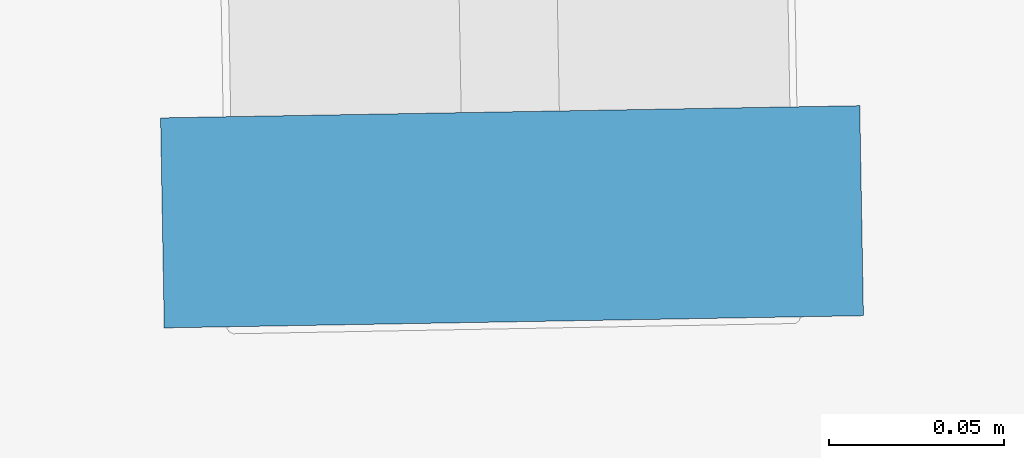
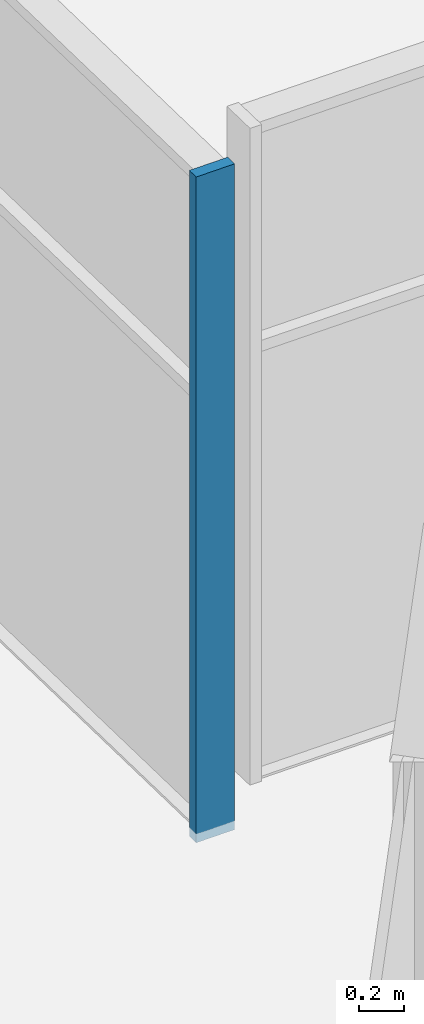
# One storey, part 2 of 13: 1 member, 1 element without a shape of its own.
"""IFC4 building model written with IfcOpenShell, lengths in metres."""

from ifc_helpers import new_model, si_unit, direction, frame, origin, origin_2d, place, context, subcontext, project, spatial, rectangle, extrude, material, material_profile, profile_set, type_object, element, aggregate, save


model = new_model("IFC4")

# Units and contexts
model_context = context("Model", 3, precision=1e-05, world=origin(), true_north=direction((0.0, 1.0)))
body_context = subcontext(model_context, "Body", "Model", "MODEL_VIEW")
ifc_project = project(units=[si_unit("LENGTHUNIT", "METRE"), si_unit("AREAUNIT", "SQUARE_METRE"), si_unit("VOLUMEUNIT", "CUBIC_METRE"), si_unit("PLANEANGLEUNIT", "RADIAN"), si_unit("MASSUNIT", "GRAM", prefix="KILO")], contexts=[model_context])

# Site, building, storey
site_placement = place(None, origin())
site = spatial("IfcSite", under=ifc_project, at=site_placement, CompositionType="ELEMENT")
building_placement = place(site_placement, origin())
building = spatial("IfcBuilding", under=site, at=building_placement, Name="Dilmun Exchange Tower", CompositionType="ELEMENT")
storey_placement = place(building_placement, frame((0.0, 0.0, 213.300048828125)))
storey = spatial("IfcBuildingStorey", under=building, at=storey_placement, Name="L50", CompositionType="ELEMENT", Elevation=213.300048828125)

# Curtain wall, member
ifc_material_1 = material(Name="Anodised aluminium and clear glass", Category="aluminium")
curtain_wall_type = type_object("IfcCurtainWallType", Name="Garden corner glazing", PredefinedType="NOTDEFINED", material=ifc_material_1)
curtain_wall_placement = place(storey_placement, origin())
curtain_wall = element("IfcCurtainWall", 1, at=curtain_wall_placement, inside=storey, type_object=curtain_wall_type, Name="Garden corner glazing run GC3.1", PredefinedType="NOTDEFINED")
ifc_material_2 = material(Name="Anodised aluminium", Category="aluminium")
ifc_material_profile = material_profile(ifc_material_2, rectangle(XDim=0.199951171875, YDim=0.06005859375, at=origin_2d()), Name="AL 60x200")
ifc_profile_set = profile_set([ifc_material_profile], Name="Anodised aluminium")
member_type = type_object("IfcMemberType", Name="Garden corner glazing mullion 60 x 200", PredefinedType="MULLION", material=ifc_profile_set)
member_placement = place(storey_placement, frame((-1.15576171875, 28.76953125, 0.0), z_axis=(0.0, 0.0, 1.0), x_axis=(-0.99984773388, -0.017450187816, 0.0)))
member = element("IfcMember", 2, at=member_placement, type_object=member_type, Name="GC3.1 mullion 1", PredefinedType="MULLION", context=body_context, shape_type="SweptSolid", body=[
    extrude(rectangle(XDim=0.199951171875, YDim=0.06005859375, at=origin_2d()), origin(), (0.0, 0.0, 1.0), 3.619873046875),
])
aggregate(curtain_wall, [member])

save(model, "model.ifc")
